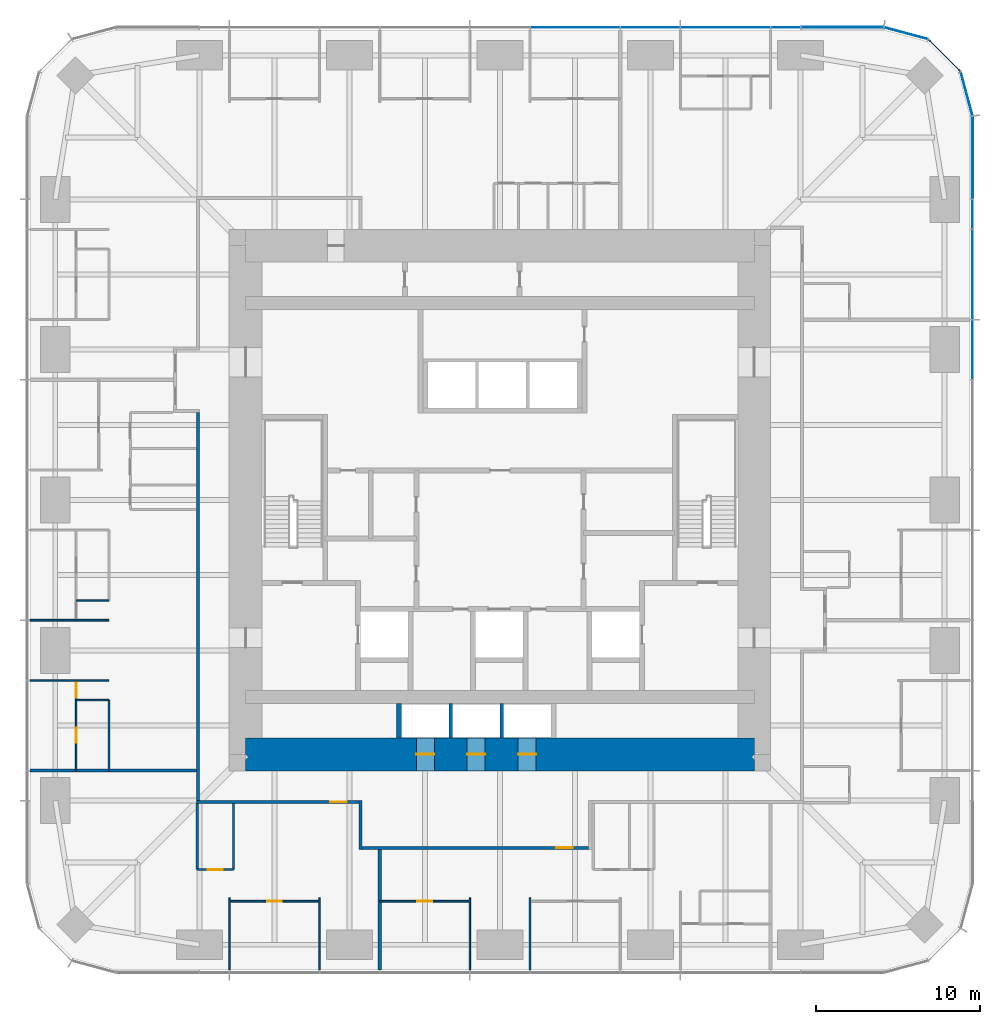
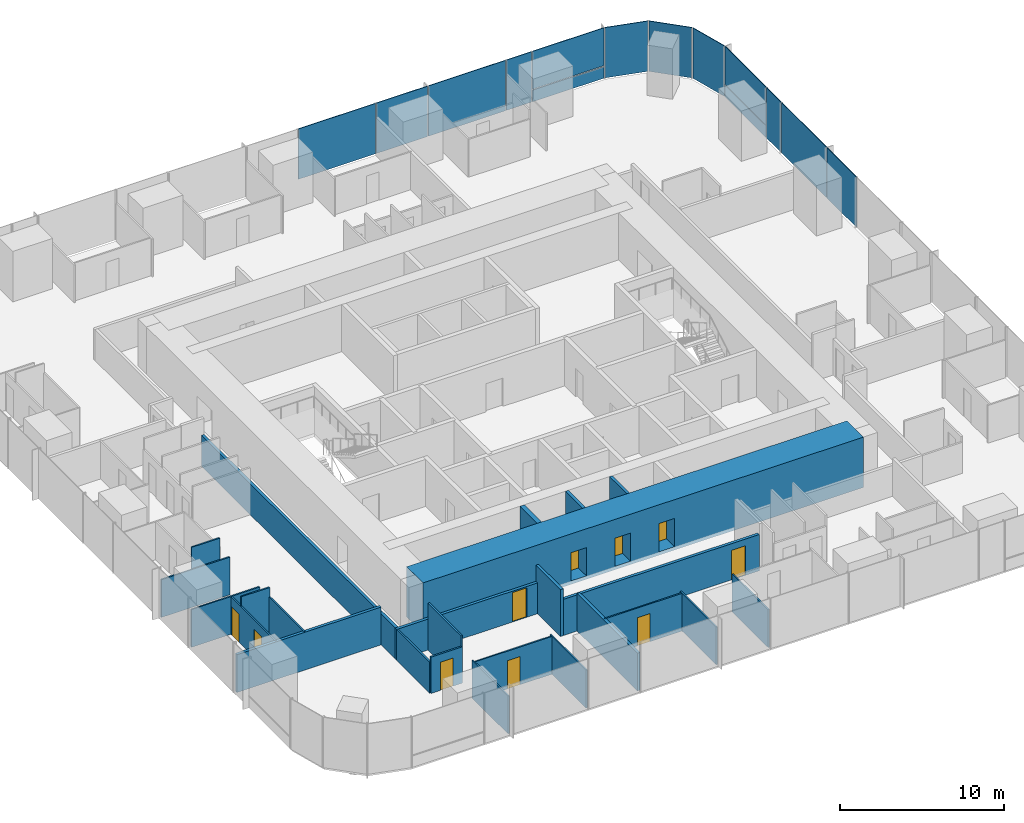
# One storey, part 8 of 13: 25 walls, 14 plates, 10 doors, 10 openings, 3 elements without a shape of their own.
"""IFC4 building model written with IfcOpenShell, lengths in metres."""

from ifc_helpers import new_model, si_unit, direction, frame, frame_2d, origin, origin_2d, place, context, subcontext, project, spatial, rectangle, extrude, material, layer, layer_set, type_object, element, fill, aggregate, save


model = new_model("IFC4")

# Units and contexts
model_context = context("Model", 3, precision=1e-05, world=origin(), true_north=direction((0.0, 1.0)))
body_context = subcontext(model_context, "Body", "Model", "MODEL_VIEW")
ifc_project = project(units=[si_unit("LENGTHUNIT", "METRE"), si_unit("AREAUNIT", "SQUARE_METRE"), si_unit("VOLUMEUNIT", "CUBIC_METRE"), si_unit("PLANEANGLEUNIT", "RADIAN"), si_unit("MASSUNIT", "GRAM", prefix="KILO")], contexts=[model_context])

# Site, building, storey
site_placement = place(None, origin())
site = spatial("IfcSite", under=ifc_project, at=site_placement, CompositionType="ELEMENT")
building_placement = place(site_placement, origin())
building = spatial("IfcBuilding", under=site, at=building_placement, Name="Khuree Lantern Residences", CompositionType="ELEMENT")
storey_placement = place(building_placement, frame((0.0, 0.0, 148.5)))
storey = spatial("IfcBuildingStorey", under=building, at=storey_placement, Name="L37", CompositionType="ELEMENT", Elevation=148.5)

# Curtain wall, plates
ifc_material_1 = material(Name="Bronze anodised aluminium", Category="aluminium")
curtain_wall_type_1 = type_object("IfcCurtainWallType", Name="CW-T2 TOWER CORNER CURTAIN WALL", PredefinedType="USERDEFINED", material=ifc_material_1)
curtain_wall_1_placement = place(storey_placement, origin())
curtain_wall_1 = element("IfcCurtainWall", 1, at=curtain_wall_1_placement, inside=storey, type_object=curtain_wall_type_1, Name="L37 NORTH-EAST CORNER CURTAIN WALL", ObjectType="Faceted corner curtain wall", PredefinedType="USERDEFINED")
ifc_material_2 = material(Name="Bronze tinted triple glazing", Category="glass")
ifc_layer_1 = layer(ifc_material_2, 0.048095703125)
ifc_layer_set_1 = layer_set([ifc_layer_1], Name="FACET PANEL P4")
plate_type_1 = type_object("IfcPlateType", Name="FACET PANEL P4", PredefinedType="CURTAIN_PANEL", material=ifc_layer_set_1)
plate_1_placement = place(storey_placement, frame((28.438720703125, 24.748046875, 0.0), z_axis=(0.0, 0.0, 1.0), x_axis=(-0.258819105321, 0.965925810153, 0.0)))
plate_1 = element("IfcPlate", 2, at=plate_1_placement, type_object=plate_type_1, Name="L37 NORTH-EAST CORNER PANEL 15.1", PredefinedType="CURTAIN_PANEL", context=body_context, shape_type="SweptSolid", body=[
    extrude(rectangle(XDim=2.71923828125, YDim=0.048095703125, at=origin_2d()), origin(), (0.0, 0.0, 1.0), 3.75),
])
plate_2_placement = place(storey_placement, frame((27.08837890625, 27.08837890625, 0.0), z_axis=(0.0, 0.0, 1.0), x_axis=(-0.707106781187, 0.707106781187, 0.0)))
plate_2 = element("IfcPlate", 3, at=plate_2_placement, type_object=plate_type_1, Name="L37 NORTH-EAST CORNER PANEL 16.1", PredefinedType="CURTAIN_PANEL", context=body_context, shape_type="SweptSolid", body=[
    extrude(rectangle(XDim=2.715087890625, YDim=0.048095703125, at=origin_2d()), origin(), (0.0, 0.0, 1.0), 3.75),
])
plate_3_placement = place(storey_placement, frame((24.748046875, 28.438720703125, 0.0), z_axis=(0.0, 0.0, 1.0), x_axis=(-0.965925810153, 0.258819105321, 0.0)))
plate_3 = element("IfcPlate", 4, at=plate_3_placement, type_object=plate_type_1, Name="L37 NORTH-EAST CORNER PANEL 17.1", PredefinedType="CURTAIN_PANEL", context=body_context, shape_type="SweptSolid", body=[
    extrude(rectangle(XDim=2.71923828125, YDim=0.048095703125, at=origin_2d()), origin(), (0.0, 0.0, 1.0), 3.75),
])
aggregate(curtain_wall_1, [plate_1, plate_2, plate_3])

# Curtain wall, plate
curtain_wall_type_2 = type_object("IfcCurtainWallType", Name="CW-T1 TOWER FACE CURTAIN WALL", PredefinedType="USERDEFINED", material=ifc_material_1)
curtain_wall_2_placement = place(storey_placement, origin())
curtain_wall_2 = element("IfcCurtainWall", 5, at=curtain_wall_2_placement, inside=storey, type_object=curtain_wall_type_2, Name="L37 EAST FACE CURTAIN WALL", ObjectType="Stick-built curtain wall", PredefinedType="USERDEFINED")
ifc_material_3 = material(Name="Bronze tinted triple glazing with a ceramic-fritted spandrel band", Category="glass")
ifc_layer_2 = layer(ifc_material_3, 0.048095703125)
ifc_layer_set_2 = layer_set([ifc_layer_2], Name="FIXED LIGHT PANEL P11")
plate_type_2 = type_object("IfcPlateType", Name="FIXED LIGHT PANEL P11", PredefinedType="CURTAIN_PANEL", material=ifc_layer_set_2)
plate_4_placement = place(storey_placement, frame((28.800048828125, 13.739990234375, 0.0), z_axis=(0.0, 0.0, 1.0), x_axis=(0.0, 1.0, 0.0)))
plate_4 = element("IfcPlate", 6, at=plate_4_placement, type_object=plate_type_2, Name="L37 EAST FACE PANEL 12.1", PredefinedType="CURTAIN_PANEL", context=body_context, shape_type="SweptSolid", body=[
    extrude(rectangle(XDim=5.430908203125, YDim=0.048095703125, at=origin_2d()), origin(), (0.0, 0.0, 1.0), 3.75),
])

# Curtain wall, plates
curtain_wall_3_placement = place(storey_placement, origin())
curtain_wall_3 = element("IfcCurtainWall", 7, at=curtain_wall_3_placement, inside=storey, type_object=curtain_wall_type_2, Name="L37 NORTH FACE CURTAIN WALL", ObjectType="Stick-built curtain wall", PredefinedType="USERDEFINED")
plate_5_placement = place(storey_placement, frame((13.739990234375, 28.800048828125, 0.0), z_axis=(0.0, 0.0, 1.0), x_axis=(-1.0, 0.0, 0.0)))
plate_5 = element("IfcPlate", 8, at=plate_5_placement, type_object=plate_type_2, Name="L37 NORTH FACE PANEL 20.1", PredefinedType="CURTAIN_PANEL", context=body_context, shape_type="SweptSolid", body=[
    extrude(rectangle(XDim=5.430908203125, YDim=0.048095703125, at=origin_2d()), origin(), (0.0, 0.0, 1.0), 3.75),
])
plate_6_placement = place(storey_placement, frame((4.580078125, 28.800048828125, 0.0), z_axis=(0.0, 0.0, 1.0), x_axis=(-1.0, 0.0, 0.0)))
plate_6 = element("IfcPlate", 9, at=plate_6_placement, type_object=plate_type_2, Name="L37 NORTH FACE PANEL 22.1", PredefinedType="CURTAIN_PANEL", context=body_context, shape_type="SweptSolid", body=[
    extrude(rectangle(XDim=5.430908203125, YDim=0.048095703125, at=origin_2d()), origin(), (0.0, 0.0, 1.0), 3.75),
])

# Plate
ifc_material_4 = material(Name="Bronze tinted triple glazing, two aluminium-framed sashes in one frame", Category="aluminium")
ifc_layer_3 = layer(ifc_material_4, 0.048095703125)
ifc_layer_set_3 = layer_set([ifc_layer_3], Name="SASH PAIR PANEL P12")
plate_type_3 = type_object("IfcPlateType", Name="SASH PAIR PANEL P12", PredefinedType="CURTAIN_PANEL", material=ifc_layer_set_3)
plate_7_placement = place(storey_placement, frame((28.800048828125, 9.159912109375, 0.0), z_axis=(0.0, 0.0, 1.0), x_axis=(0.0, 1.0, 0.0)))
plate_7 = element("IfcPlate", 10, at=plate_7_placement, type_object=plate_type_3, Name="L37 EAST FACE PANEL 11.1", PredefinedType="CURTAIN_PANEL", context=body_context, shape_type="SweptSolid", body=[
    extrude(rectangle(XDim=3.59912109375, YDim=0.048095703125, at=origin_2d()), origin(), (0.0, 0.0, 1.0), 3.75),
])

plate_8_placement = place(storey_placement, frame((9.159912109375, 28.800048828125, 0.0), z_axis=(0.0, 0.0, 1.0), x_axis=(-1.0, 0.0, 0.0)))
plate_8 = element("IfcPlate", 11, at=plate_8_placement, type_object=plate_type_3, Name="L37 NORTH FACE PANEL 21.1", PredefinedType="CURTAIN_PANEL", context=body_context, shape_type="SweptSolid", body=[
    extrude(rectangle(XDim=3.59912109375, YDim=0.048095703125, at=origin_2d()), origin(), (0.0, 0.0, 1.0), 3.75),
])

ifc_material_5 = material(Name="Bronze tinted triple glazing, aluminium-framed sash", Category="aluminium")
ifc_layer_4 = layer(ifc_material_5, 0.048095703125)
ifc_layer_set_4 = layer_set([ifc_layer_4], Name="SASH PANEL P3")
plate_type_4 = type_object("IfcPlateType", Name="SASH PANEL P3", PredefinedType="CURTAIN_PANEL", material=ifc_layer_set_4)
plate_9_placement = place(storey_placement, frame((28.800048828125, 17.404052734375, 0.0), z_axis=(0.0, 0.0, 1.0), x_axis=(0.0, 1.0, 0.0)))
plate_9 = element("IfcPlate", 12, at=plate_9_placement, type_object=plate_type_4, Name="L37 EAST FACE PANEL 13.1", PredefinedType="CURTAIN_PANEL", context=body_context, shape_type="SweptSolid", body=[
    extrude(rectangle(XDim=1.76708984375, YDim=0.048095703125, at=origin_2d()), origin(), (0.0, 0.0, 1.0), 3.75),
])

plate_10_placement = place(storey_placement, frame((17.404052734375, 28.800048828125, 0.0), z_axis=(0.0, 0.0, 1.0), x_axis=(-1.0, 0.0, 0.0)))
plate_10 = element("IfcPlate", 13, at=plate_10_placement, type_object=plate_type_4, Name="L37 NORTH FACE PANEL 19.1", PredefinedType="CURTAIN_PANEL", context=body_context, shape_type="SweptSolid", body=[
    extrude(rectangle(XDim=1.76708984375, YDim=0.048095703125, at=origin_2d()), origin(), (0.0, 0.0, 1.0), 3.75),
])

ifc_material_6 = material(Name="Bronze anodised aluminium insulated spandrel", Category="aluminium")
ifc_layer_5 = layer(ifc_material_6, 0.06005859375)
ifc_layer_set_5 = layer_set([ifc_layer_5], Name="SPANDREL PANEL P2")
plate_type_5 = type_object("IfcPlateType", Name="SPANDREL PANEL P2", PredefinedType="CURTAIN_PANEL", material=ifc_layer_set_5)
plate_11_placement = place(storey_placement, frame((28.800048828125, 20.85791015625, 0.0), z_axis=(0.0, 0.0, 1.0), x_axis=(0.0, 1.0, 0.0)))
plate_11 = element("IfcPlate", 14, at=plate_11_placement, type_object=plate_type_5, Name="L37 EAST FACE PANEL 14.1", PredefinedType="CURTAIN_PANEL", context=body_context, shape_type="SweptSolid", body=[
    extrude(rectangle(XDim=5.0107421875, YDim=0.06005859375, at=origin_2d()), origin(), (0.0, 0.0, 1.0), 0.867431640625),
])

plate_12_placement = place(storey_placement, frame((20.85791015625, 28.800048828125, 0.0), z_axis=(0.0, 0.0, 1.0), x_axis=(-1.0, 0.0, 0.0)))
plate_12 = element("IfcPlate", 15, at=plate_12_placement, type_object=plate_type_5, Name="L37 NORTH FACE PANEL 18.1", PredefinedType="CURTAIN_PANEL", context=body_context, shape_type="SweptSolid", body=[
    extrude(rectangle(XDim=5.0107421875, YDim=0.06005859375, at=origin_2d()), origin(), (0.0, 0.0, 1.0), 0.867431640625),
])

ifc_layer_6 = layer(ifc_material_2, 0.048095703125)
ifc_layer_set_6 = layer_set([ifc_layer_6], Name="VISION PANEL P1")
plate_type_6 = type_object("IfcPlateType", Name="VISION PANEL P1", PredefinedType="CURTAIN_PANEL", material=ifc_layer_set_6)
plate_13_placement = place(storey_placement, frame((28.800048828125, 20.8583984375, 0.9326171875), z_axis=(0.0, 0.0, 1.0), x_axis=(0.0, 1.0, 0.0)))
plate_13 = element("IfcPlate", 16, at=plate_13_placement, type_object=plate_type_6, Name="L37 EAST FACE PANEL 14.2", PredefinedType="CURTAIN_PANEL", context=body_context, shape_type="SweptSolid", body=[
    extrude(rectangle(XDim=5.011474609375, YDim=0.048095703125, at=origin_2d()), origin(), (0.0, 0.0, 1.0), 2.8173828125),
])

aggregate(curtain_wall_2, [plate_7, plate_4, plate_9, plate_11, plate_13])

plate_14_placement = place(storey_placement, frame((20.8583984375, 28.800048828125, 0.9326171875), z_axis=(0.0, 0.0, 1.0), x_axis=(-1.0, 0.0, 0.0)))
plate_14 = element("IfcPlate", 17, at=plate_14_placement, type_object=plate_type_6, Name="L37 NORTH FACE PANEL 18.2", PredefinedType="CURTAIN_PANEL", context=body_context, shape_type="SweptSolid", body=[
    extrude(rectangle(XDim=5.011474609375, YDim=0.048095703125, at=origin_2d()), origin(), (0.0, 0.0, 1.0), 2.8173828125),
])

aggregate(curtain_wall_3, [plate_12, plate_14, plate_10, plate_5, plate_8, plate_6])

# Wall, opening, door
ifc_material_7 = material(Name="Moisture-resistant gypsum board on steel studs", Category="steel")
ifc_layer_7 = layer(ifc_material_7, 0.125)
ifc_layer_set_7 = layer_set([ifc_layer_7], Name="BATHROOM WALL BTW125")
wall_type_1 = type_object("IfcWallType", Name="BATHROOM WALL BTW125", PredefinedType="PARTITIONING", material=ifc_layer_set_7)
wall_1_placement = place(storey_placement, frame((-18.449951171875, -22.52978515625, 0.0), z_axis=(0.0, 0.0, 1.0), x_axis=(1.0, 0.0, 0.0)))
wall_1 = element("IfcWall", 18, at=wall_1_placement, inside=storey, type_object=wall_type_1, Name="L37 BATHROOM WALL 05", PredefinedType="PARTITIONING", context=body_context, shape_type="SweptSolid", body=[
    extrude(rectangle(XDim=2.199951171875, YDim=0.125, at=frame_2d((1.10009765625, 0.0))), origin(), (0.0, 0.0, 1.0), 2.699951171875),
])
opening_1_placement = place(wall_1_placement, frame((0.64990234375, 0.0, 0.0)))
opening_1 = element("IfcOpeningElement", 19, at=opening_1_placement, cuts=wall_1, Name="Opening 37-052", PredefinedType="OPENING", context=body_context, shape_type="SweptSolid", body=[
    extrude(rectangle(XDim=0.89990234375, YDim=2.10009765625, at=frame_2d((0.449951171875, 1.050048828125))), frame((0.0, 0.072509765625, 0.0), z_axis=(0.0, -1.0, 0.0), x_axis=(1.0, 0.0, 0.0)), (0.0, 0.0, 1.0), 0.14501953125),
])
ifc_material_8 = material(Name="Timber door leaf in hardwood frame", Category="wood")
door_type_1 = type_object("IfcDoorType", Name="BATHROOM DOOR 900X2100", OperationType="SINGLE_SWING_LEFT", PredefinedType="DOOR", material=ifc_material_8)
door_1_placement = place(opening_1_placement, origin())
door_1 = element("IfcDoor", 20, at=door_1_placement, inside=storey, type_object=door_type_1, Name="Bathroom door 37-052", OperationType="SINGLE_SWING_LEFT", OverallHeight=2.10009765625, OverallWidth=0.89990234375, PredefinedType="DOOR", context=body_context, shape_type="SweptSolid", body=[
    extrude(rectangle(XDim=0.89990234375, YDim=2.10009765625, at=frame_2d((0.449951171875, 1.050048828125))), frame((0.0, 0.02490234375, 0.0), z_axis=(0.0, -1.0, 0.0), x_axis=(1.0, 0.0, 0.0)), (0.0, 0.0, 1.0), 0.050048828125),
])
fill(opening_1, door_1)

# Walls
wall_2_placement = place(storey_placement, frame((-18.449951171875, -18.5, 0.0), z_axis=(0.0, 0.0, 1.0), x_axis=(0.0, -1.0, 0.0)))
element("IfcWall", 21, at=wall_2_placement, inside=storey, type_object=wall_type_1, Name="L37 BATHROOM WALL 05", PredefinedType="PARTITIONING", context=body_context, shape_type="SweptSolid", body=[
    extrude(rectangle(XDim=4.02978515625, YDim=0.125, at=frame_2d((2.014892578125, 0.0))), origin(), (0.0, 0.0, 1.0), 2.300048828125),
])
wall_3_placement = place(storey_placement, frame((-16.25, -18.5, 0.0), z_axis=(0.0, 0.0, 1.0), x_axis=(0.0, -1.0, 0.0)))
element("IfcWall", 22, at=wall_3_placement, inside=storey, type_object=wall_type_1, Name="L37 BATHROOM WALL 05", PredefinedType="PARTITIONING", context=body_context, shape_type="SweptSolid", body=[
    extrude(rectangle(XDim=4.02978515625, YDim=0.125, at=frame_2d((2.014892578125, 0.0))), origin(), (0.0, 0.0, 1.0), 3.5),
])
ifc_material_9 = material(Name="Dense concrete blockwork", Category="masonry")
ifc_layer_8 = layer(ifc_material_9, 0.300048828125)
ifc_layer_set_8 = layer_set([ifc_layer_8], Name="CORE PARTITION WALL CPW300 EI 120")
wall_type_2 = type_object("IfcWallType", Name="CORE PARTITION WALL CPW300 EI 120", PredefinedType="PARTITIONING", material=ifc_layer_set_8)
wall_4_placement = place(storey_placement, frame((-6.14990234375, -14.5, 0.0), z_axis=(0.0, 0.0, 1.0), x_axis=(0.0, 1.0, 0.0)))
element("IfcWall", 23, at=wall_4_placement, inside=storey, type_object=wall_type_2, Name="L37 CORE WALL PMW", PredefinedType="PARTITIONING", context=body_context, shape_type="SweptSolid", body=[
    extrude(rectangle(XDim=2.10009765625, YDim=0.300048828125, at=frame_2d((1.050048828125, 0.0))), origin(), (0.0, 0.0, 1.0), 3.5),
])
ifc_material_10 = material(Name="Gypsum board on steel studs", Category="steel")
ifc_layer_9 = layer(ifc_material_10, 0.199951171875)
ifc_layer_set_9 = layer_set([ifc_layer_9], Name="CORRIDOR WALL CRW200 EI 60")
wall_type_3 = type_object("IfcWallType", Name="CORRIDOR WALL CRW200 EI 60", PredefinedType="PARTITIONING", material=ifc_layer_set_9)
wall_5_placement = place(storey_placement, frame((-18.39990234375, 5.327880859375, 0.0), z_axis=(0.0, 0.0, 1.0), x_axis=(0.0, -1.0, 0.0)))
element("IfcWall", 24, at=wall_5_placement, inside=storey, type_object=wall_type_3, Name="L37 CORRIDOR WALL WEST 2", PredefinedType="PARTITIONING", context=body_context, shape_type="SweptSolid", body=[
    extrude(rectangle(XDim=23.6279296875, YDim=0.199951171875, at=frame_2d((11.81396484375, 0.0))), origin(), (0.0, 0.0, 1.0), 2.300048828125),
])
wall_6_placement = place(storey_placement, frame((-8.5, -18.300048828125, 0.0), z_axis=(0.0, 0.0, 1.0), x_axis=(0.0, -1.0, 0.0)))
element("IfcWall", 25, at=wall_6_placement, inside=storey, type_object=wall_type_3, Name="L37 LIFT LOBBY WALL", PredefinedType="PARTITIONING", context=body_context, shape_type="SweptSolid", body=[
    extrude(rectangle(XDim=3.0, YDim=0.199951171875, at=frame_2d((1.5, 0.0))), origin(), (0.0, 0.0, 1.0), 3.5),
])

# Wall, opening, door
wall_7_placement = place(storey_placement, frame((5.39990234375, -21.199951171875, 0.0), z_axis=(0.0, 0.0, 1.0), x_axis=(-1.0, 0.0, 0.0)))
wall_7 = element("IfcWall", 26, at=wall_7_placement, inside=storey, type_object=wall_type_3, Name="L37 LIFT LOBBY WALL", PredefinedType="PARTITIONING", context=body_context, shape_type="SweptSolid", body=[
    extrude(rectangle(XDim=13.7998046875, YDim=0.199951171875, at=frame_2d((6.89990234375, 0.0))), origin(), (0.0, 0.0, 1.0), 2.699951171875),
])
opening_2_placement = place(wall_7_placement, frame((0.9580078125, 0.0, 0.0)))
opening_2 = element("IfcOpeningElement", 27, at=opening_2_placement, cuts=wall_7, Name="Opening 37-060", PredefinedType="OPENING", context=body_context, shape_type="SweptSolid", body=[
    extrude(rectangle(XDim=1.0, YDim=2.199951171875, at=frame_2d((0.5, 1.10009765625))), frame((0.0, 0.10986328125, 0.0), z_axis=(0.0, -1.0, 0.0), x_axis=(1.0, 0.0, 0.0)), (0.0, 0.0, 1.0), 0.219970703125),
])
door_type_2 = type_object("IfcDoorType", Name="APARTMENT ENTRANCE DOOR 1000X2200 EI 30S", OperationType="SINGLE_SWING_LEFT", PredefinedType="DOOR", material=ifc_material_8)
door_2_placement = place(opening_2_placement, origin())
door_2 = element("IfcDoor", 28, at=door_2_placement, inside=storey, type_object=door_type_2, Name="Apartment 06 entrance door 37-060", OperationType="SINGLE_SWING_LEFT", OverallHeight=2.199951171875, OverallWidth=1.0, PredefinedType="DOOR", context=body_context, shape_type="SweptSolid", body=[
    extrude(rectangle(XDim=1.0, YDim=2.199951171875, at=frame_2d((0.5, 1.10009765625))), frame((0.0, 0.02490234375, 0.0), z_axis=(0.0, -1.0, 0.0), x_axis=(1.0, 0.0, 0.0)), (0.0, 0.0, 1.0), 0.050048828125),
])
fill(opening_2, door_2)

wall_8_placement = place(storey_placement, frame((-8.60009765625, -18.39990234375, 0.0), z_axis=(0.0, 0.0, 1.0), x_axis=(-1.0, 0.0, 0.0)))
wall_8 = element("IfcWall", 29, at=wall_8_placement, inside=storey, type_object=wall_type_3, Name="L37 CORRIDOR WALL SOUTH 2", PredefinedType="PARTITIONING", context=body_context, shape_type="SweptSolid", body=[
    extrude(rectangle(XDim=9.89990234375, YDim=0.199951171875, at=frame_2d((4.949951171875, 0.0))), origin(), (0.0, 0.0, 1.0), 2.300048828125),
])
opening_3_placement = place(wall_8_placement, frame((0.75, 0.0, 0.0)))
opening_3 = element("IfcOpeningElement", 30, at=opening_3_placement, cuts=wall_8, Name="Opening 37-053", PredefinedType="OPENING", context=body_context, shape_type="SweptSolid", body=[
    extrude(rectangle(XDim=1.0, YDim=2.199951171875, at=frame_2d((0.5, 1.10009765625))), frame((0.0, 0.10986328125, 0.0), z_axis=(0.0, -1.0, 0.0), x_axis=(1.0, 0.0, 0.0)), (0.0, 0.0, 1.0), 0.219970703125),
])
door_3_placement = place(opening_3_placement, origin())
door_3 = element("IfcDoor", 31, at=door_3_placement, inside=storey, type_object=door_type_2, Name="Apartment 05 entrance door 37-053", OperationType="SINGLE_SWING_LEFT", OverallHeight=2.199951171875, OverallWidth=1.0, PredefinedType="DOOR", context=body_context, shape_type="SweptSolid", body=[
    extrude(rectangle(XDim=1.0, YDim=2.199951171875, at=frame_2d((0.5, 1.10009765625))), frame((0.0, 0.02490234375, 0.0), z_axis=(0.0, -1.0, 0.0), x_axis=(1.0, 0.0, 0.0)), (0.0, 0.0, 1.0), 0.050048828125),
])
fill(opening_3, door_3)

# Wall, openings, doors
ifc_material_11 = material(Name="Concrete C70/85", Category="concrete")
ifc_layer_10 = layer(ifc_material_11, 2.0)
ifc_layer_set_10 = layer_set([ifc_layer_10], Name="CW2000-C70 CORE WALL C70 2000")
wall_type_4 = type_object("IfcWallType", Name="CW2000-C70 CORE WALL C70 2000", PredefinedType="SHEAR", material=ifc_layer_set_10)
wall_9_placement = place(storey_placement, frame((-15.5, -15.5, -0.25), z_axis=(0.0, 0.0, 1.0), x_axis=(1.0, 0.0, 0.0)))
wall_9 = element("IfcWall", 32, at=wall_9_placement, inside=storey, type_object=wall_type_4, Name="Core wall S", PredefinedType="SHEAR", context=body_context, shape_type="SweptSolid", body=[
    extrude(rectangle(XDim=31.0, YDim=2.0, at=frame_2d((15.5, 0.0))), origin(), (0.0, 0.0, 1.0), 3.75),
])
opening_4_placement = place(wall_9_placement, frame((10.39990234375, 0.0, 0.25)))
opening_4 = element("IfcOpeningElement", 33, at=opening_4_placement, cuts=wall_9, Name="Opening 37-009", PredefinedType="OPENING", context=body_context, shape_type="SweptSolid", body=[
    extrude(rectangle(XDim=1.10009765625, YDim=2.10009765625, at=frame_2d((0.550048828125, 1.050048828125))), frame((0.0, 1.010009765625, 0.0), z_axis=(0.0, -1.0, 0.0), x_axis=(1.0, 0.0, 0.0)), (0.0, 0.0, 1.0), 2.02001953125),
])
opening_5_placement = place(wall_9_placement, frame((13.5, 0.0, 0.25)))
opening_5 = element("IfcOpeningElement", 34, at=opening_5_placement, cuts=wall_9, Name="Opening 37-010", PredefinedType="OPENING", context=body_context, shape_type="SweptSolid", body=[
    extrude(rectangle(XDim=1.10009765625, YDim=2.10009765625, at=frame_2d((0.550048828125, 1.050048828125))), frame((0.0, 1.010009765625, 0.0), z_axis=(0.0, -1.0, 0.0), x_axis=(1.0, 0.0, 0.0)), (0.0, 0.0, 1.0), 2.02001953125),
])
opening_6_placement = place(wall_9_placement, frame((16.60009765625, 0.0, 0.25)))
opening_6 = element("IfcOpeningElement", 35, at=opening_6_placement, cuts=wall_9, Name="Opening 37-011", PredefinedType="OPENING", context=body_context, shape_type="SweptSolid", body=[
    extrude(rectangle(XDim=1.10009765625, YDim=2.10009765625, at=frame_2d((0.550048828125, 1.050048828125))), frame((0.0, 1.010009765625, 0.0), z_axis=(0.0, -1.0, 0.0), x_axis=(1.0, 0.0, 0.0)), (0.0, 0.0, 1.0), 2.02001953125),
])
ifc_material_12 = material(Name="Stainless steel lift landing door", Category="steel")
door_type_3 = type_object("IfcDoorType", Name="LIFT LANDING DOOR 1100X2100 E 60", OperationType="DOUBLE_DOOR_SLIDING", PredefinedType="DOOR", material=ifc_material_12)
door_4_placement = place(opening_4_placement, origin())
door_4 = element("IfcDoor", 36, at=door_4_placement, inside=storey, type_object=door_type_3, Name="Landing door PM1 37-009", OperationType="DOUBLE_DOOR_SLIDING", OverallHeight=2.10009765625, OverallWidth=1.10009765625, PredefinedType="DOOR", context=body_context, shape_type="SweptSolid", body=[
    extrude(rectangle(XDim=1.10009765625, YDim=2.10009765625, at=frame_2d((0.550048828125, 1.050048828125))), frame((0.0, 0.02490234375, 0.0), z_axis=(0.0, -1.0, 0.0), x_axis=(1.0, 0.0, 0.0)), (0.0, 0.0, 1.0), 0.050048828125),
])
fill(opening_4, door_4)
door_5_placement = place(opening_5_placement, origin())
door_5 = element("IfcDoor", 37, at=door_5_placement, inside=storey, type_object=door_type_3, Name="Landing door PM2 37-010", OperationType="DOUBLE_DOOR_SLIDING", OverallHeight=2.10009765625, OverallWidth=1.10009765625, PredefinedType="DOOR", context=body_context, shape_type="SweptSolid", body=[
    extrude(rectangle(XDim=1.10009765625, YDim=2.10009765625, at=frame_2d((0.550048828125, 1.050048828125))), frame((0.0, 0.02490234375, 0.0), z_axis=(0.0, -1.0, 0.0), x_axis=(1.0, 0.0, 0.0)), (0.0, 0.0, 1.0), 0.050048828125),
])
fill(opening_5, door_5)
door_6_placement = place(opening_6_placement, origin())
door_6 = element("IfcDoor", 38, at=door_6_placement, inside=storey, type_object=door_type_3, Name="Landing door PM3 37-011", OperationType="DOUBLE_DOOR_SLIDING", OverallHeight=2.10009765625, OverallWidth=1.10009765625, PredefinedType="DOOR", context=body_context, shape_type="SweptSolid", body=[
    extrude(rectangle(XDim=1.10009765625, YDim=2.10009765625, at=frame_2d((0.550048828125, 1.050048828125))), frame((0.0, 0.02490234375, 0.0), z_axis=(0.0, -1.0, 0.0), x_axis=(1.0, 0.0, 0.0)), (0.0, 0.0, 1.0), 0.050048828125),
])
fill(opening_6, door_6)

# Walls
ifc_layer_11 = layer(ifc_material_10, 0.199951171875)
ifc_layer_set_11 = layer_set([ifc_layer_11], Name="DEMISING WALL DMW200 EI 90")
wall_type_5 = type_object("IfcWallType", Name="DEMISING WALL DMW200 EI 90", PredefinedType="PARTITIONING", material=ifc_layer_set_11)
wall_10_placement = place(storey_placement, frame((-18.5, -16.488037109375, 0.0), z_axis=(0.0, 0.0, 1.0), x_axis=(-1.0, 0.0, 0.0)))
element("IfcWall", 39, at=wall_10_placement, inside=storey, type_object=wall_type_5, Name="L37 DEMISING WALL 05", PredefinedType="PARTITIONING", context=body_context, shape_type="SweptSolid", body=[
    extrude(rectangle(XDim=10.14990234375, YDim=0.199951171875, at=frame_2d((5.074951171875, 0.0))), origin(), (0.0, 0.0, 1.0), 2.81005859375),
])
wall_11_placement = place(storey_placement, frame((-7.327880859375, -21.300048828125, 0.0), z_axis=(0.0, 0.0, 1.0), x_axis=(0.0, -1.0, 0.0)))
element("IfcWall", 40, at=wall_11_placement, inside=storey, type_object=wall_type_5, Name="L37 DEMISING WALL 06", PredefinedType="PARTITIONING", context=body_context, shape_type="SweptSolid", body=[
    extrude(rectangle(XDim=7.349853515625, YDim=0.199951171875, at=frame_2d((3.6748046875, 0.0))), origin(), (0.0, 0.0, 1.0), 2.81005859375),
])
ifc_layer_12 = layer(ifc_material_10, 0.10009765625)
ifc_layer_set_12 = layer_set([ifc_layer_12], Name="PARTITION PT100")
wall_type_6 = type_object("IfcWallType", Name="PARTITION PT100", PredefinedType="PARTITIONING", material=ifc_layer_set_12)
for number, where, z_axis, x_axis, name in (
    (41, (-23.829833984375, -7.327880859375, 0.0), (0.0, 0.0, 1.0), (-1.0, 0.0, 0.0), "L37 PARTITION 04"),
    (42, (-23.829833984375, -10.991943359375, 0.0), (0.0, 0.0, 1.0), (-1.0, 0.0, 0.0), "L37 PARTITION 04"),
):
    element("IfcWall", number, at=place(storey_placement, frame(where, z_axis=z_axis, x_axis=x_axis)), inside=storey, type_object=wall_type_6, Name=name, PredefinedType="PARTITIONING", context=body_context, shape_type="SweptSolid", body=[
        extrude(rectangle(XDim=4.820068359375, YDim=0.10009765625, at=frame_2d((2.41015625, 0.0))), origin(), (0.0, 0.0, 1.0), 2.81005859375),
    ])
for number, where, z_axis, x_axis, name in (
    (43, (-16.488037109375, -24.25, 0.0), (0.0, 0.0, 1.0), (0.0, -1.0, 0.0), "L37 PARTITION 05"),
    (44, (-10.991943359375, -24.25, 0.0), (0.0, 0.0, 1.0), (0.0, -1.0, 0.0), "L37 PARTITION 05"),
    (45, (-1.83203125, -24.25, 0.0), (0.0, 0.0, 1.0), (0.0, -1.0, 0.0), "L37 PARTITION 06"),
    (46, (1.83203125, -24.25, 0.0), (0.0, 0.0, 1.0), (0.0, -1.0, 0.0), "L37 PARTITION 06"),
):
    element("IfcWall", number, at=place(storey_placement, frame(where, z_axis=z_axis, x_axis=x_axis)), inside=storey, type_object=wall_type_6, Name=name, PredefinedType="PARTITIONING", context=body_context, shape_type="SweptSolid", body=[
        extrude(rectangle(XDim=4.39990234375, YDim=0.10009765625, at=frame_2d((2.199951171875, 0.0))), origin(), (0.0, 0.0, 1.0), 2.81005859375),
    ])
wall_12_placement = place(storey_placement, frame((-23.829833984375, -6.1279296875, 0.0), z_axis=(0.0, 0.0, 1.0), x_axis=(-1.0, 0.0, 0.0)))
element("IfcWall", 47, at=wall_12_placement, inside=storey, type_object=wall_type_6, Name="L37 PARTITION 04", PredefinedType="PARTITIONING", context=body_context, shape_type="SweptSolid", body=[
    extrude(rectangle(XDim=2.0, YDim=0.10009765625, at=frame_2d((1.0, 0.0))), origin(), (0.0, 0.0, 1.0), 3.5),
])

# Wall, openings, doors
wall_13_placement = place(storey_placement, frame((-25.829833984375, -10.991943359375, 0.0), z_axis=(0.0, 0.0, 1.0), x_axis=(0.0, -1.0, 0.0)))
wall_13 = element("IfcWall", 48, at=wall_13_placement, inside=storey, type_object=wall_type_6, Name="L37 PARTITION 04", PredefinedType="PARTITIONING", context=body_context, shape_type="SweptSolid", body=[
    extrude(rectangle(XDim=5.49609375, YDim=0.10009765625, at=frame_2d((2.748046875, 0.0))), origin(), (0.0, 0.0, 1.0), 2.81005859375),
])
opening_7_placement = place(wall_13_placement, frame((0.14990234375, 0.0, 0.0)))
opening_7 = element("IfcOpeningElement", 49, at=opening_7_placement, cuts=wall_13, Name="Opening 37-045", PredefinedType="OPENING", context=body_context, shape_type="SweptSolid", body=[
    extrude(rectangle(XDim=0.89990234375, YDim=2.10009765625, at=frame_2d((0.449951171875, 1.050048828125))), frame((0.0, 0.06005859375, 0.0), z_axis=(0.0, -1.0, 0.0), x_axis=(1.0, 0.0, 0.0)), (0.0, 0.0, 1.0), 0.1201171875),
])
opening_8_placement = place(wall_13_placement, frame((2.89794921875, 0.0, 0.0)))
opening_8 = element("IfcOpeningElement", 50, at=opening_8_placement, cuts=wall_13, Name="Opening 37-046", PredefinedType="OPENING", context=body_context, shape_type="SweptSolid", body=[
    extrude(rectangle(XDim=0.89990234375, YDim=2.10009765625, at=frame_2d((0.449951171875, 1.050048828125))), frame((0.0, 0.06005859375, 0.0), z_axis=(0.0, -1.0, 0.0), x_axis=(1.0, 0.0, 0.0)), (0.0, 0.0, 1.0), 0.1201171875),
])
door_type_4 = type_object("IfcDoorType", Name="BEDROOM DOOR 900X2100", OperationType="SINGLE_SWING_LEFT", PredefinedType="DOOR", material=ifc_material_8)
door_7_placement = place(opening_7_placement, origin())
door_7 = element("IfcDoor", 51, at=door_7_placement, inside=storey, type_object=door_type_4, Name="Bedroom door 37-045", OperationType="SINGLE_SWING_LEFT", OverallHeight=2.10009765625, OverallWidth=0.89990234375, PredefinedType="DOOR", context=body_context, shape_type="SweptSolid", body=[
    extrude(rectangle(XDim=0.89990234375, YDim=2.10009765625, at=frame_2d((0.449951171875, 1.050048828125))), frame((0.0, 0.02490234375, 0.0), z_axis=(0.0, -1.0, 0.0), x_axis=(1.0, 0.0, 0.0)), (0.0, 0.0, 1.0), 0.050048828125),
])
fill(opening_7, door_7)
door_type_5 = type_object("IfcDoorType", Name="DOOR 900X2100 RIGHT HAND", OperationType="SINGLE_SWING_RIGHT", PredefinedType="DOOR", material=ifc_material_8)
door_8_placement = place(opening_8_placement, origin())
door_8 = element("IfcDoor", 52, at=door_8_placement, inside=storey, type_object=door_type_5, Name="Wardrobe door 37-046", OperationType="SINGLE_SWING_RIGHT", OverallHeight=2.10009765625, OverallWidth=0.89990234375, PredefinedType="DOOR", context=body_context, shape_type="SweptSolid", body=[
    extrude(rectangle(XDim=0.89990234375, YDim=2.10009765625, at=frame_2d((0.449951171875, 1.050048828125))), frame((0.0, 0.02490234375, 0.0), z_axis=(0.0, -1.0, 0.0), x_axis=(1.0, 0.0, 0.0)), (0.0, 0.0, 1.0), 0.050048828125),
])
fill(opening_8, door_8)

# Walls
wall_14_placement = place(storey_placement, frame((-23.829833984375, -12.19189453125, 0.0), z_axis=(0.0, 0.0, 1.0), x_axis=(-1.0, 0.0, 0.0)))
element("IfcWall", 53, at=wall_14_placement, inside=storey, type_object=wall_type_6, Name="L37 PARTITION 04", PredefinedType="PARTITIONING", context=body_context, shape_type="SweptSolid", body=[
    extrude(rectangle(XDim=2.0, YDim=0.10009765625, at=frame_2d((1.0, 0.0))), origin(), (0.0, 0.0, 1.0), 3.5),
])
wall_15_placement = place(storey_placement, frame((-23.829833984375, -12.19189453125, 0.0), z_axis=(0.0, 0.0, 1.0), x_axis=(0.0, -1.0, 0.0)))
element("IfcWall", 54, at=wall_15_placement, inside=storey, type_object=wall_type_6, Name="L37 PARTITION 04", PredefinedType="PARTITIONING", context=body_context, shape_type="SweptSolid", body=[
    extrude(rectangle(XDim=4.296142578125, YDim=0.10009765625, at=frame_2d((2.14794921875, 0.0))), origin(), (0.0, 0.0, 1.0), 2.81005859375),
])

# Wall, opening, door
wall_16_placement = place(storey_placement, frame((-16.488037109375, -24.449951171875, 0.0), z_axis=(0.0, 0.0, 1.0), x_axis=(1.0, 0.0, 0.0)))
wall_16 = element("IfcWall", 55, at=wall_16_placement, inside=storey, type_object=wall_type_6, Name="L37 PARTITION 05", PredefinedType="PARTITIONING", context=body_context, shape_type="SweptSolid", body=[
    extrude(rectangle(XDim=5.49609375, YDim=0.10009765625, at=frame_2d((2.748046875, 0.0))), origin(), (0.0, 0.0, 1.0), 2.81005859375),
])
opening_9_placement = place(wall_16_placement, frame((2.298095703125, 0.0, 0.0)))
opening_9 = element("IfcOpeningElement", 56, at=opening_9_placement, cuts=wall_16, Name="Opening 37-051", PredefinedType="OPENING", context=body_context, shape_type="SweptSolid", body=[
    extrude(rectangle(XDim=0.89990234375, YDim=2.10009765625, at=frame_2d((0.449951171875, 1.050048828125))), frame((0.0, 0.06005859375, 0.0), z_axis=(0.0, -1.0, 0.0), x_axis=(1.0, 0.0, 0.0)), (0.0, 0.0, 1.0), 0.1201171875),
])
door_9_placement = place(opening_9_placement, origin())
door_9 = element("IfcDoor", 57, at=door_9_placement, inside=storey, type_object=door_type_4, Name="Bedroom door 37-051", OperationType="SINGLE_SWING_LEFT", OverallHeight=2.10009765625, OverallWidth=0.89990234375, PredefinedType="DOOR", context=body_context, shape_type="SweptSolid", body=[
    extrude(rectangle(XDim=0.89990234375, YDim=2.10009765625, at=frame_2d((0.449951171875, 1.050048828125))), frame((0.0, 0.02490234375, 0.0), z_axis=(0.0, -1.0, 0.0), x_axis=(1.0, 0.0, 0.0)), (0.0, 0.0, 1.0), 0.050048828125),
])
fill(opening_9, door_9)

wall_17_placement = place(storey_placement, frame((-7.327880859375, -24.449951171875, 0.0), z_axis=(0.0, 0.0, 1.0), x_axis=(1.0, 0.0, 0.0)))
wall_17 = element("IfcWall", 58, at=wall_17_placement, inside=storey, type_object=wall_type_6, Name="L37 PARTITION 06", PredefinedType="PARTITIONING", context=body_context, shape_type="SweptSolid", body=[
    extrude(rectangle(XDim=5.495849609375, YDim=0.10009765625, at=frame_2d((2.748046875, 0.0))), origin(), (0.0, 0.0, 1.0), 2.81005859375),
])
opening_10_placement = place(wall_17_placement, frame((2.298095703125, 0.0, 0.0)))
opening_10 = element("IfcOpeningElement", 59, at=opening_10_placement, cuts=wall_17, Name="Opening 37-054", PredefinedType="OPENING", context=body_context, shape_type="SweptSolid", body=[
    extrude(rectangle(XDim=0.89990234375, YDim=2.10009765625, at=frame_2d((0.449951171875, 1.050048828125))), frame((0.0, 0.06005859375, 0.0), z_axis=(0.0, -1.0, 0.0), x_axis=(1.0, 0.0, 0.0)), (0.0, 0.0, 1.0), 0.1201171875),
])
door_10_placement = place(opening_10_placement, origin())
door_10 = element("IfcDoor", 60, at=door_10_placement, inside=storey, type_object=door_type_4, Name="Bedroom door 37-054", OperationType="SINGLE_SWING_LEFT", OverallHeight=2.10009765625, OverallWidth=0.89990234375, PredefinedType="DOOR", context=body_context, shape_type="SweptSolid", body=[
    extrude(rectangle(XDim=0.89990234375, YDim=2.10009765625, at=frame_2d((0.449951171875, 1.050048828125))), frame((0.0, 0.02490234375, 0.0), z_axis=(0.0, -1.0, 0.0), x_axis=(1.0, 0.0, 0.0)), (0.0, 0.0, 1.0), 0.050048828125),
])
fill(opening_10, door_10)

# Walls
ifc_layer_13 = layer(ifc_material_9, 0.199951171875)
ifc_layer_set_13 = layer_set([ifc_layer_13], Name="SHAFT WALL SHW200 EI 120")
wall_type_7 = type_object("IfcWallType", Name="SHAFT WALL SHW200 EI 120", PredefinedType="PARTITIONING", material=ifc_layer_set_13)
for number, where, z_axis, x_axis, name in (
    (61, (-3.0, -14.5, 0.0), (0.0, 0.0, 1.0), (0.0, 1.0, 0.0), "L37 CORE WALL PMD1"),
    (62, (0.10009765625, -14.5, 0.0), (0.0, 0.0, 1.0), (0.0, 1.0, 0.0), "L37 CORE WALL PMD2"),
):
    element("IfcWall", number, at=place(storey_placement, frame(where, z_axis=z_axis, x_axis=x_axis)), inside=storey, type_object=wall_type_7, Name=name, PredefinedType="PARTITIONING", context=body_context, shape_type="SweptSolid", body=[
        extrude(rectangle(XDim=2.10009765625, YDim=0.199951171875, at=frame_2d((1.050048828125, 0.0))), origin(), (0.0, 0.0, 1.0), 3.5),
    ])

save(model, "model.ifc")
